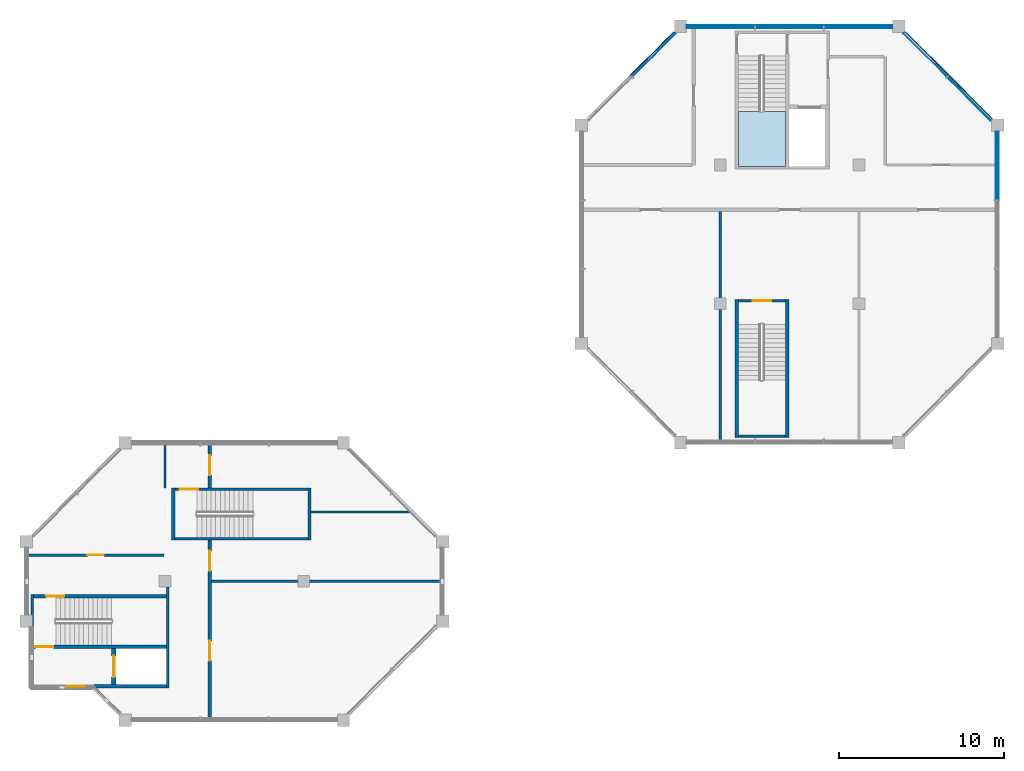
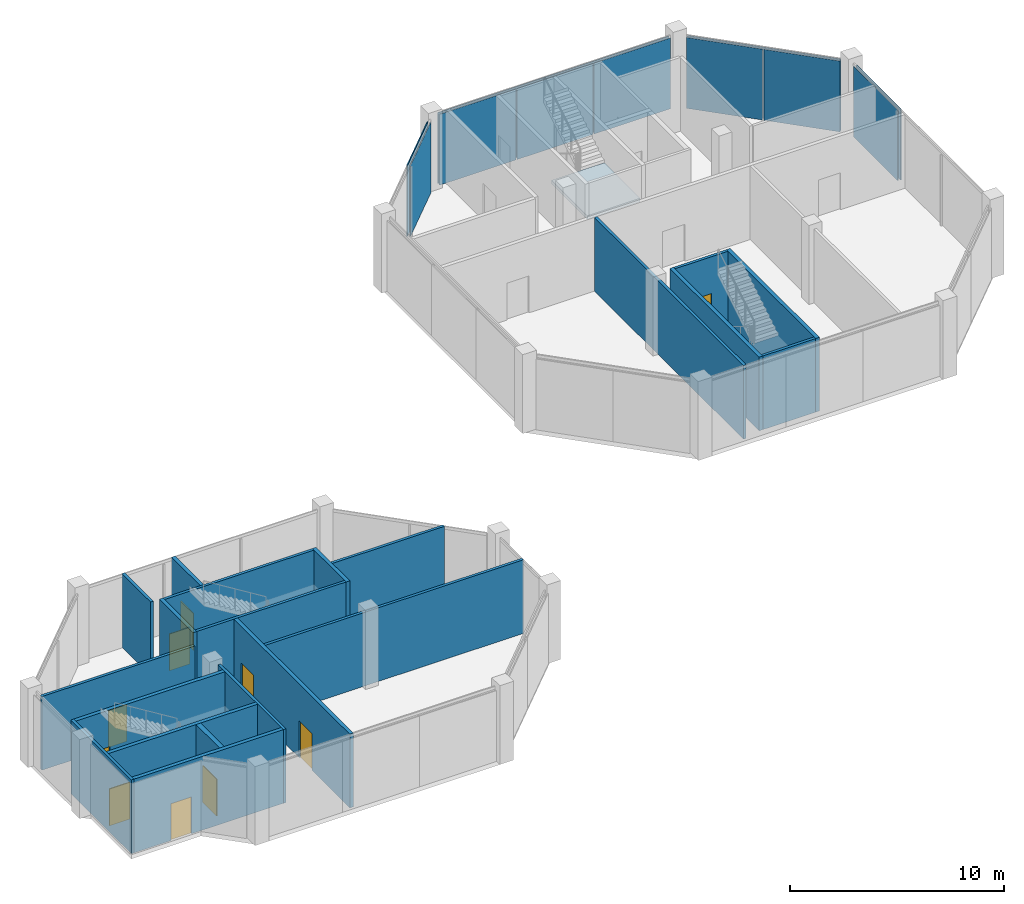
# One storey, part 5 of 9: 21 walls, 14 plates, 10 doors, 1 slab, 10 openings, 5 elements without a shape of their own.
"""IFC4 building model written with IfcOpenShell, lengths in metres."""

from ifc_helpers import new_model, si_unit, direction, frame, frame_2d, origin, origin_2d, place, context, subcontext, project, spatial, polyline, rectangle, outline, extrude, material, layer, layer_set, type_object, element, fill, aggregate, save


model = new_model("IFC4")

# Units and contexts
model_context = context("Model", 3, precision=1e-05, world=origin(), true_north=direction((0.0, 1.0)))
body_context = subcontext(model_context, "Body", "Model", "MODEL_VIEW")
ifc_project = project(units=[si_unit("LENGTHUNIT", "METRE"), si_unit("AREAUNIT", "SQUARE_METRE"), si_unit("VOLUMEUNIT", "CUBIC_METRE"), si_unit("PLANEANGLEUNIT", "RADIAN"), si_unit("MASSUNIT", "GRAM", prefix="KILO")], contexts=[model_context])

# Site, building, storey
site_placement = place(None, origin())
site = spatial("IfcSite", under=ifc_project, at=site_placement, CompositionType="ELEMENT")
building_placement = place(site_placement, origin())
building = spatial("IfcBuilding", under=site, at=building_placement, Name="Kawkab Arch Medical Tower", CompositionType="ELEMENT")
storey_placement = place(building_placement, frame((0.0, 0.0, 345.699951171875)))
storey = spatial("IfcBuildingStorey", under=building, at=storey_placement, Name="L80", CompositionType="ELEMENT", Elevation=345.699951171875)

# Curtain wall, plates
ifc_material_1 = material(Name="Bronze anodised aluminium curtain wall frame", Category="aluminium")
ifc_layer_1 = layer(ifc_material_1, 0.159912109375)
ifc_layer_set_1 = layer_set([ifc_layer_1], Name="Bronze anodised aluminium curtain wall frame")
curtain_wall_type = type_object("IfcCurtainWallType", Name="CW6 helipad lobby and crown glazing", PredefinedType="NOTDEFINED", material=ifc_layer_set_1)
placement = place(storey_placement, origin())
curtain_wall_1 = element("IfcCurtainWall", 1, at=placement, inside=storey, type_object=curtain_wall_type, Name="CW6 Helipad lobby and crown glazing R01", PredefinedType="NOTDEFINED")
ifc_material_2 = material(Name="Tinted laminated insulating glass, low iron", Category="glass")
ifc_layer_2 = layer(ifc_material_2, 0.0400390625)
ifc_layer_set_2 = layer_set([ifc_layer_2], Name="Tinted laminated insulating glass, low iron")
plate_type_1 = type_object("IfcPlateType", Name="CW6 glazing unit 40", PredefinedType="CURTAIN_PANEL", material=ifc_layer_set_2)
plate_1_placement = place(storey_placement, frame((57.05419921875, -4.3955078125, 0.0), z_axis=(0.0, 0.0, 1.0), x_axis=(-0.707106781187, 0.707106781187, 0.0)))
plate_1 = element("IfcPlate", 2, at=plate_1_placement, type_object=plate_type_1, Name="CW6 glazing unit 1.1", PredefinedType="CURTAIN_PANEL", context=body_context, shape_type="SweptSolid", body=[
    extrude(rectangle(XDim=3.67724609375, YDim=0.0400390625, at=origin_2d()), origin(), (0.0, 0.0, 1.0), 4.0400390625),
])
plate_2_placement = place(storey_placement, frame((54.404296875, -1.745849609375, 0.0), z_axis=(0.0, 0.0, 1.0), x_axis=(-0.707106781187, 0.707106781187, 0.0)))
plate_2 = element("IfcPlate", 3, at=plate_2_placement, type_object=plate_type_1, Name="CW6 glazing unit 1.2", PredefinedType="CURTAIN_PANEL", context=body_context, shape_type="SweptSolid", body=[
    extrude(rectangle(XDim=3.67724609375, YDim=0.0400390625, at=origin_2d()), origin(), (0.0, 0.0, 1.0), 4.0400390625),
])
aggregate(curtain_wall_1, [plate_1, plate_2])

curtain_wall_2 = element("IfcCurtainWall", 4, at=placement, inside=storey, type_object=curtain_wall_type, Name="CW6 Helipad lobby and crown glazing R02", PredefinedType="NOTDEFINED")
plate_3_placement = place(storey_placement, frame((50.367431640625, -0.10009765625, 0.0), z_axis=(0.0, 0.0, 1.0), x_axis=(-1.0, 0.0, 0.0)))
plate_3 = element("IfcPlate", 5, at=plate_3_placement, type_object=plate_type_1, Name="CW6 glazing unit 1.1", PredefinedType="CURTAIN_PANEL", context=body_context, shape_type="SweptSolid", body=[
    extrude(rectangle(XDim=4.114990234375, YDim=0.0400390625, at=origin_2d()), origin(), (0.0, 0.0, 1.0), 4.0400390625),
])
plate_4_placement = place(storey_placement, frame((46.199951171875, -0.10009765625, 0.0), z_axis=(0.0, 0.0, 1.0), x_axis=(-1.0, 0.0, 0.0)))
plate_4 = element("IfcPlate", 6, at=plate_4_placement, type_object=plate_type_1, Name="CW6 glazing unit 1.2", PredefinedType="CURTAIN_PANEL", context=body_context, shape_type="SweptSolid", body=[
    extrude(rectangle(XDim=4.080078125, YDim=0.0400390625, at=origin_2d()), origin(), (0.0, 0.0, 1.0), 4.0400390625),
])
plate_5_placement = place(storey_placement, frame((42.032470703125, -0.10009765625, 0.0), z_axis=(0.0, 0.0, 1.0), x_axis=(-1.0, 0.0, 0.0)))
plate_5 = element("IfcPlate", 7, at=plate_5_placement, type_object=plate_type_1, Name="CW6 glazing unit 1.3", PredefinedType="CURTAIN_PANEL", context=body_context, shape_type="SweptSolid", body=[
    extrude(rectangle(XDim=4.114990234375, YDim=0.0400390625, at=origin_2d()), origin(), (0.0, 0.0, 1.0), 4.0400390625),
])
aggregate(curtain_wall_2, [plate_3, plate_4, plate_5])

# Curtain wall, plate
curtain_wall_3 = element("IfcCurtainWall", 8, at=placement, inside=storey, type_object=curtain_wall_type, Name="CW6 Helipad lobby and crown glazing R03", PredefinedType="NOTDEFINED")
plate_6_placement = place(storey_placement, frame((37.99560546875, -1.745849609375, 0.0), z_axis=(0.0, 0.0, 1.0), x_axis=(-0.707106781187, -0.707106781187, 0.0)))
plate_6 = element("IfcPlate", 9, at=plate_6_placement, type_object=plate_type_1, Name="CW6 glazing unit 1.1", PredefinedType="CURTAIN_PANEL", context=body_context, shape_type="SweptSolid", body=[
    extrude(rectangle(XDim=3.67724609375, YDim=0.0400390625, at=origin_2d()), origin(), (0.0, 0.0, 1.0), 4.0400390625),
])
aggregate(curtain_wall_3, [plate_6])

curtain_wall_4 = element("IfcCurtainWall", 10, at=placement, inside=storey, type_object=curtain_wall_type, Name="CW6 Helipad lobby and crown glazing R08", PredefinedType="NOTDEFINED")
plate_7_placement = place(storey_placement, frame((58.699951171875, -8.4326171875, 0.0), z_axis=(0.0, 0.0, 1.0), x_axis=(0.0, 1.0, 0.0)))
plate_7 = element("IfcPlate", 11, at=plate_7_placement, type_object=plate_type_1, Name="CW6 glazing unit 1.3", PredefinedType="CURTAIN_PANEL", context=body_context, shape_type="SweptSolid", body=[
    extrude(rectangle(XDim=4.114990234375, YDim=0.0400390625, at=origin_2d()), origin(), (0.0, 0.0, 1.0), 4.0400390625),
])
aggregate(curtain_wall_4, [plate_7])

# Plates
ifc_material_3 = material(Name="Bronze anodised aluminium perforated screen", Category="aluminium")
ifc_layer_3 = layer(ifc_material_3, 0.050048828125)
ifc_layer_set_3 = layer_set([ifc_layer_3], Name="Bronze anodised aluminium perforated screen")
plate_type_2 = type_object("IfcPlateType", Name="Crown perforated star screen 50", PredefinedType="USERDEFINED", material=ifc_layer_set_3)
for number, where, z_axis, x_axis, name in (
    (12, (57.144287109375, -4.28076171875, 0.0), (0.0, 0.0, 1.0), (-0.707106781187, 0.707106781187, 0.0), "Crown screen L80 R01.1.1"),
    (13, (54.519287109375, -1.655517578125, 0.0), (0.0, 0.0, 1.0), (-0.707106781187, 0.707106781187, 0.0), "Crown screen L80 R01.1.2"),
):
    element("IfcPlate", number, at=place(storey_placement, frame(where, z_axis=z_axis, x_axis=x_axis)), inside=storey, type_object=plate_type_2, Name=name, ObjectType="SCREEN", PredefinedType="USERDEFINED", context=body_context, shape_type="SweptSolid", body=[
        extrude(rectangle(XDim=3.71240234375, YDim=0.050048828125, at=origin_2d()), origin(), (0.0, 0.0, 1.0), 4.0400390625),
    ])
for number, where, z_axis, x_axis, name in (
    (14, (50.35009765625, 0.044921875, 0.0), (0.0, 0.0, 1.0), (-1.0, 0.0, 0.0), "Crown screen L80 R02.1.1"),
    (15, (46.199951171875, 0.044921875, 0.0), (0.0, 0.0, 1.0), (-1.0, 0.0, 0.0), "Crown screen L80 R02.1.2"),
    (16, (42.050048828125, 0.044921875, 0.0), (0.0, 0.0, 1.0), (-1.0, 0.0, 0.0), "Crown screen L80 R02.1.3"),
):
    element("IfcPlate", number, at=place(storey_placement, frame(where, z_axis=z_axis, x_axis=x_axis)), inside=storey, type_object=plate_type_2, Name=name, ObjectType="SCREEN", PredefinedType="USERDEFINED", context=body_context, shape_type="SweptSolid", body=[
        extrude(rectangle(XDim=4.14990234375, YDim=0.050048828125, at=origin_2d()), origin(), (0.0, 0.0, 1.0), 4.0400390625),
    ])
plate_8_placement = place(storey_placement, frame((37.880615234375, -1.65576171875, 0.0), z_axis=(0.0, 0.0, 1.0), x_axis=(-0.707106781187, -0.707106781187, 0.0)))
element("IfcPlate", 17, at=plate_8_placement, inside=storey, type_object=plate_type_2, Name="Crown screen L80 R03.1.1", ObjectType="SCREEN", PredefinedType="USERDEFINED", context=body_context, shape_type="SweptSolid", body=[
    extrude(rectangle(XDim=3.71240234375, YDim=0.050048828125, at=origin_2d()), origin(), (0.0, 0.0, 1.0), 4.0400390625),
])
plate_9_placement = place(storey_placement, frame((58.844970703125, -8.449951171875, 0.0), z_axis=(0.0, 0.0, 1.0), x_axis=(0.0, 1.0, 0.0)))
element("IfcPlate", 18, at=plate_9_placement, inside=storey, type_object=plate_type_2, Name="Crown screen L80 R08.1.3", ObjectType="SCREEN", PredefinedType="USERDEFINED", context=body_context, shape_type="SweptSolid", body=[
    extrude(rectangle(XDim=4.14990234375, YDim=0.050048828125, at=origin_2d()), origin(), (0.0, 0.0, 1.0), 4.0400390625),
])

# Stair, slab
ifc_material_4 = material(Name="Concrete C40/50", Category="concrete")
stair_type = type_object("IfcStairType", Name="Exit stair 1350", PredefinedType="HALF_TURN_STAIR", material=ifc_material_4)
stair = element("IfcStair", 19, at=placement, inside=storey, type_object=stair_type, Name="L80 Exit stair ST5", PredefinedType="HALF_TURN_STAIR")
ifc_material_5 = material(Name="Concrete C40/50", Category="concrete")
ifc_layer_4 = layer(ifc_material_5, 0.199951171875)
ifc_layer_set_4 = layer_set([ifc_layer_4], Name="Concrete C40/50")
slab_type = type_object("IfcSlabType", Name="Exit stair landing 200", PredefinedType="LANDING", material=ifc_layer_set_4)
slab_placement = place(storey_placement, frame((0.0, 0.0, 2.050048828125)))
slab = element("IfcSlab", 20, at=slab_placement, type_object=slab_type, Name="ST5 landing 1", PredefinedType="LANDING", context=body_context, shape_type="SweptSolid", body=[
    extrude(outline(polyline([(43.10009765625, -5.159912109375), (43.10009765625, -8.5), (45.949951171875, -8.5), (45.949951171875, -5.159912109375), (43.10009765625, -5.159912109375)])), origin(), (0.0, 0.0, 1.0), 0.199951171875),
])
aggregate(stair, [slab])

# Wall, opening, door
ifc_material_6 = material(Name="Concrete C60/75", Category="concrete")
ifc_layer_5 = layer(ifc_material_6, 0.25)
ifc_layer_set_5 = layer_set([ifc_layer_5], Name="Concrete C60/75")
wall_type_1 = type_object("IfcWallType", Name="Core shear wall 250 C60/75", PredefinedType="SHEAR", material=ifc_layer_set_5)
wall_1_placement = place(storey_placement, frame((5.300048828125, -39.85009765625, 0.0), z_axis=(0.0, 0.0, 1.0), x_axis=(0.0, 1.0, 0.0)))
wall_1 = element("IfcWall", 21, at=wall_1_placement, inside=storey, type_object=wall_type_1, Name="L80 core shear wall", PredefinedType="SHEAR", context=body_context, shape_type="SweptSolid", body=[
    extrude(rectangle(XDim=2.2001953125, YDim=0.25, at=frame_2d((1.10009765625, 0.0))), origin(), (0.0, 0.0, 1.0), 4.199951171875),
])
opening_1_placement = place(wall_1_placement, frame((0.449951171875, 0.0, 0.0)))
opening_1 = element("IfcOpeningElement", 22, at=opening_1_placement, cuts=wall_1, Name="Opening LD2", PredefinedType="OPENING", context=body_context, shape_type="SweptSolid", body=[
    extrude(rectangle(XDim=1.300048828125, YDim=2.10009765625, at=frame_2d((0.64990234375, 1.050048828125))), frame((0.0, 0.135009765625, 0.0), z_axis=(0.0, -1.0, 0.0), x_axis=(1.0, 0.0, 0.0)), (0.0, 0.0, 1.0), 0.27001953125),
])
ifc_material_7 = material(Name="Stainless steel lift door leaf", Category="steel")
door_type_1 = type_object("IfcDoorType", Name="Lift landing door 1300", OperationType="DOUBLE_DOOR_SLIDING", PredefinedType="DOOR", material=ifc_material_7)
door_1_placement = place(opening_1_placement, origin())
door_1 = element("IfcDoor", 23, at=door_1_placement, inside=storey, type_object=door_type_1, Name="L80 Lift landing door SV2", OperationType="DOUBLE_DOOR_SLIDING", OverallHeight=2.10009765625, OverallWidth=1.300048828125, PredefinedType="DOOR", context=body_context, shape_type="SweptSolid", body=[
    extrude(rectangle(XDim=1.300048828125, YDim=2.10009765625, at=frame_2d((0.64990234375, 1.050048828125))), frame((0.0, 0.02490234375, 0.0), z_axis=(0.0, -1.0, 0.0), x_axis=(1.0, 0.0, 0.0)), (0.0, 0.0, 1.0), 0.050048828125),
])
fill(opening_1, door_1)

# Wall
ifc_material_8 = material(Name="Gypsum board partition on steel studs, mineral wool", Category="steel")
ifc_layer_6 = layer(ifc_material_8, 0.14990234375)
ifc_layer_set_6 = layer_set([ifc_layer_6], Name="Gypsum board partition on steel studs, mineral wool")
wall_type_2 = type_object("IfcWallType", Name="Partition 150", PredefinedType="PARTITIONING", material=ifc_layer_set_6)
wall_2_placement = place(storey_placement, frame((11.199951171875, -33.60009765625, 0.0), z_axis=(0.0, 0.0, 1.0), x_axis=(1.0, 0.0, 0.0)))
element("IfcWall", 24, at=wall_2_placement, inside=storey, type_object=wall_type_2, Name="Partition 150 w001", PredefinedType="PARTITIONING", context=body_context, shape_type="SweptSolid", body=[
    extrude(rectangle(XDim=13.920166015625, YDim=0.14990234375, at=frame_2d((6.9599609375, 0.0))), origin(), (0.0, 0.0, 1.0), 4.199951171875),
])

# Wall, opening, door
wall_3_placement = place(storey_placement, frame((0.080078125, -32.007080078125, 0.0), z_axis=(0.0, 0.0, 1.0), x_axis=(1.0, 0.0, 0.0)))
wall_3 = element("IfcWall", 25, at=wall_3_placement, inside=storey, type_object=wall_type_2, Name="Partition 150 w002", PredefinedType="PARTITIONING", context=body_context, shape_type="SweptSolid", body=[
    extrude(rectangle(XDim=8.244873046875, YDim=0.14990234375, at=frame_2d((4.12255859375, 0.0))), origin(), (0.0, 0.0, 1.0), 4.199951171875),
])
opening_2_placement = place(wall_3_placement, frame((3.6201171875, 0.0, 0.0)))
opening_2 = element("IfcOpeningElement", 26, at=opening_2_placement, cuts=wall_3, Name="Opening C80-002", PredefinedType="OPENING", context=body_context, shape_type="SweptSolid", body=[
    extrude(rectangle(XDim=1.0, YDim=2.10009765625, at=frame_2d((0.5, 1.050048828125))), frame((0.0, 0.0849609375, 0.0), z_axis=(0.0, -1.0, 0.0), x_axis=(1.0, 0.0, 0.0)), (0.0, 0.0, 1.0), 0.169921875),
])
ifc_material_9 = material(Name="Hollow metal door leaf")
door_type_2 = type_object("IfcDoorType", Name="Single door 1000x2100 FD30S", OperationType="NOTDEFINED", PredefinedType="DOOR", material=ifc_material_9)
door_2_placement = place(opening_2_placement, origin())
door_2 = element("IfcDoor", 27, at=door_2_placement, inside=storey, type_object=door_type_2, Name="Door C80-002", OperationType="SINGLE_SWING_RIGHT", OverallHeight=2.10009765625, OverallWidth=1.0, PredefinedType="DOOR", context=body_context, shape_type="SweptSolid", body=[
    extrude(rectangle(XDim=1.0, YDim=2.10009765625, at=frame_2d((0.5, 1.050048828125))), frame((0.0, 0.02490234375, 0.0), z_axis=(0.0, -1.0, 0.0), x_axis=(1.0, 0.0, 0.0)), (0.0, 0.0, 1.0), 0.050048828125),
])
fill(opening_2, door_2)

# Walls
wall_4_placement = place(storey_placement, frame((17.25, -29.39990234375, 0.0), z_axis=(0.0, 0.0, 1.0), x_axis=(1.0, 0.0, 0.0)))
element("IfcWall", 28, at=wall_4_placement, inside=storey, type_object=wall_type_2, Name="Partition 150 w003", PredefinedType="PARTITIONING", context=body_context, shape_type="SweptSolid", body=[
    extrude(rectangle(XDim=6.037109375, YDim=0.14990234375, at=frame_2d((3.0185546875, 0.0))), origin(), (0.0, 0.0, 1.0), 4.199951171875),
])
wall_5_placement = place(storey_placement, frame((8.39990234375, -27.949951171875, 0.0), z_axis=(0.0, 0.0, 1.0), x_axis=(0.0, 1.0, 0.0)))
element("IfcWall", 29, at=wall_5_placement, inside=storey, type_object=wall_type_2, Name="Partition 150 w006", PredefinedType="PARTITIONING", context=body_context, shape_type="SweptSolid", body=[
    extrude(rectangle(XDim=2.669921875, YDim=0.14990234375, at=frame_2d((1.3349609375, 0.0))), origin(), (0.0, 0.0, 1.0), 4.199951171875),
])
wall_6_placement = place(storey_placement, frame((42.0, -25.1201171875, 0.0), z_axis=(0.0, 0.0, 1.0), x_axis=(0.0, 1.0, 0.0)))
element("IfcWall", 30, at=wall_6_placement, inside=storey, type_object=wall_type_2, Name="Partition 150 w007", PredefinedType="PARTITIONING", context=body_context, shape_type="SweptSolid", body=[
    extrude(rectangle(XDim=13.920166015625, YDim=0.14990234375, at=frame_2d((6.9599609375, 0.0))), origin(), (0.0, 0.0, 1.0), 4.199951171875),
])

# Wall, openings, doors
ifc_material_10 = material(Name="Fire-rated gypsum board partition on steel studs", Category="steel")
ifc_layer_7 = layer(ifc_material_10, 0.199951171875)
ifc_layer_set_7 = layer_set([ifc_layer_7], Name="Fire-rated gypsum board partition on steel studs")
wall_type_3 = type_object("IfcWallType", Name="Protected partition 200", PredefinedType="PARTITIONING", material=ifc_layer_set_7)
wall_7_placement = place(storey_placement, frame((11.10009765625, -41.919921875, 0.0), z_axis=(0.0, 0.0, 1.0), x_axis=(0.0, 1.0, 0.0)))
wall_7 = element("IfcWall", 31, at=wall_7_placement, inside=storey, type_object=wall_type_3, Name="Protected partition 200 w012", PredefinedType="PARTITIONING", context=body_context, shape_type="SweptSolid", body=[
    extrude(rectangle(XDim=10.81982421875, YDim=0.199951171875, at=frame_2d((5.409912109375, 0.0))), origin(), (0.0, 0.0, 1.0), 4.199951171875),
])
opening_3_placement = place(wall_7_placement, frame((8.969970703125, 0.0, 0.0)))
opening_3 = element("IfcOpeningElement", 32, at=opening_3_placement, cuts=wall_7, Name="Opening C80-008", PredefinedType="OPENING", context=body_context, shape_type="SweptSolid", body=[
    extrude(rectangle(XDim=1.199951171875, YDim=2.10009765625, at=frame_2d((0.60009765625, 1.050048828125))), frame((0.0, 0.10986328125, 0.0), z_axis=(0.0, -1.0, 0.0), x_axis=(1.0, 0.0, 0.0)), (0.0, 0.0, 1.0), 0.219970703125),
])
opening_4_placement = place(wall_7_placement, frame((3.52001953125, 0.0, 0.0)))
opening_4 = element("IfcOpeningElement", 33, at=opening_4_placement, cuts=wall_7, Name="Opening C80-009", PredefinedType="OPENING", context=body_context, shape_type="SweptSolid", body=[
    extrude(rectangle(XDim=1.199951171875, YDim=2.10009765625, at=frame_2d((0.60009765625, 1.050048828125))), frame((0.0, 0.10986328125, 0.0), z_axis=(0.0, -1.0, 0.0), x_axis=(1.0, 0.0, 0.0)), (0.0, 0.0, 1.0), 0.219970703125),
])
ifc_material_11 = material(Name="Hollow metal door leaf")
door_type_3 = type_object("IfcDoorType", Name="Single door 1200x2100 FD60", OperationType="NOTDEFINED", PredefinedType="DOOR", material=ifc_material_11)
door_3_placement = place(opening_3_placement, origin())
door_3 = element("IfcDoor", 34, at=door_3_placement, inside=storey, type_object=door_type_3, Name="Door C80-008", OperationType="SINGLE_SWING_LEFT", OverallHeight=2.10009765625, OverallWidth=1.199951171875, PredefinedType="DOOR", context=body_context, shape_type="SweptSolid", body=[
    extrude(rectangle(XDim=1.199951171875, YDim=2.10009765625, at=frame_2d((0.60009765625, 1.050048828125))), frame((0.0, 0.02490234375, 0.0), z_axis=(0.0, -1.0, 0.0), x_axis=(1.0, 0.0, 0.0)), (0.0, 0.0, 1.0), 0.050048828125),
])
fill(opening_3, door_3)
door_4_placement = place(opening_4_placement, origin())
door_4 = element("IfcDoor", 35, at=door_4_placement, inside=storey, type_object=door_type_3, Name="Door C80-009", OperationType="SINGLE_SWING_RIGHT", OverallHeight=2.10009765625, OverallWidth=1.199951171875, PredefinedType="DOOR", context=body_context, shape_type="SweptSolid", body=[
    extrude(rectangle(XDim=1.199951171875, YDim=2.10009765625, at=frame_2d((0.60009765625, 1.050048828125))), frame((0.0, 0.02490234375, 0.0), z_axis=(0.0, -1.0, 0.0), x_axis=(1.0, 0.0, 0.0)), (0.0, 0.0, 1.0), 0.050048828125),
])
fill(opening_4, door_4)

# Wall, opening, door
wall_8_placement = place(storey_placement, frame((11.10009765625, -27.949951171875, 0.0), z_axis=(0.0, 0.0, 1.0), x_axis=(0.0, 1.0, 0.0)))
wall_8 = element("IfcWall", 36, at=wall_8_placement, inside=storey, type_object=wall_type_3, Name="Protected partition 200 w013", PredefinedType="PARTITIONING", context=body_context, shape_type="SweptSolid", body=[
    extrude(rectangle(XDim=2.669921875, YDim=0.199951171875, at=frame_2d((1.3349609375, 0.0))), origin(), (0.0, 0.0, 1.0), 4.199951171875),
])
opening_5_placement = place(wall_8_placement, frame((0.77490234375, 0.0, 0.0)))
opening_5 = element("IfcOpeningElement", 37, at=opening_5_placement, cuts=wall_8, Name="Opening C80-007", PredefinedType="OPENING", context=body_context, shape_type="SweptSolid", body=[
    extrude(rectangle(XDim=1.199951171875, YDim=2.10009765625, at=frame_2d((0.60009765625, 1.050048828125))), frame((0.0, 0.10986328125, 0.0), z_axis=(0.0, -1.0, 0.0), x_axis=(1.0, 0.0, 0.0)), (0.0, 0.0, 1.0), 0.219970703125),
])
door_5_placement = place(opening_5_placement, origin())
door_5 = element("IfcDoor", 38, at=door_5_placement, inside=storey, type_object=door_type_3, Name="Door C80-007", OperationType="SINGLE_SWING_RIGHT", OverallHeight=2.10009765625, OverallWidth=1.199951171875, PredefinedType="DOOR", context=body_context, shape_type="SweptSolid", body=[
    extrude(rectangle(XDim=1.199951171875, YDim=2.10009765625, at=frame_2d((0.60009765625, 1.050048828125))), frame((0.0, 0.02490234375, 0.0), z_axis=(0.0, -1.0, 0.0), x_axis=(1.0, 0.0, 0.0)), (0.0, 0.0, 1.0), 0.050048828125),
])
fill(opening_5, door_5)

# Walls
ifc_material_12 = material(Name="Concrete C50/60", Category="concrete")
ifc_layer_8 = layer(ifc_material_12, 0.14990234375)
ifc_layer_set_8 = layer_set([ifc_layer_8], Name="Concrete C50/60")
wall_type_4 = type_object("IfcWallType", Name="Stair enclosure wall 150 C50/60", PredefinedType="SHEAR", material=ifc_layer_set_8)
wall_9_placement = place(storey_placement, frame((0.375, -40.050048828125, 0.0), z_axis=(0.0, 0.0, 1.0), x_axis=(0.0, 1.0, 0.0)))
element("IfcWall", 39, at=wall_9_placement, inside=storey, type_object=wall_type_4, Name="L80 stair enclosure wall", PredefinedType="SHEAR", context=body_context, shape_type="SweptSolid", body=[
    extrude(rectangle(XDim=5.650146484375, YDim=0.14990234375, at=frame_2d((2.8251953125, 0.0))), origin(), (0.0, 0.0, 1.0), 4.199951171875),
])
wall_10_placement = place(storey_placement, frame((8.574951171875, -40.050048828125, 0.0), z_axis=(0.0, 0.0, 1.0), x_axis=(0.0, 1.0, 0.0)))
element("IfcWall", 40, at=wall_10_placement, inside=storey, type_object=wall_type_4, Name="L80 stair enclosure wall", PredefinedType="SHEAR", context=body_context, shape_type="SweptSolid", body=[
    extrude(rectangle(XDim=6.10009765625, YDim=0.14990234375, at=frame_2d((3.050048828125, 0.0))), origin(), (0.0, 0.0, 1.0), 4.199951171875),
])

# Wall, opening, door
wall_11_placement = place(storey_placement, frame((43.10009765625, -16.625, 0.0), z_axis=(0.0, 0.0, 1.0), x_axis=(1.0, 0.0, 0.0)))
wall_11 = element("IfcWall", 41, at=wall_11_placement, inside=storey, type_object=wall_type_4, Name="L80 stair enclosure wall", PredefinedType="SHEAR", context=body_context, shape_type="SweptSolid", body=[
    extrude(rectangle(XDim=2.849853515625, YDim=0.14990234375, at=frame_2d((1.4248046875, 0.0))), origin(), (0.0, 0.0, 1.0), 4.199951171875),
])
opening_6_placement = place(wall_11_placement, frame((0.875, 0.0, 0.0)))
opening_6 = element("IfcOpeningElement", 42, at=opening_6_placement, cuts=wall_11, Name="Opening SD", PredefinedType="OPENING", context=body_context, shape_type="SweptSolid", body=[
    extrude(rectangle(XDim=1.10009765625, YDim=2.10009765625, at=frame_2d((0.550048828125, 1.050048828125))), frame((0.0, 0.0849609375, 0.0), z_axis=(0.0, -1.0, 0.0), x_axis=(1.0, 0.0, 0.0)), (0.0, 0.0, 1.0), 0.169921875),
])
ifc_material_13 = material(Name="Hollow metal fire door leaf")
door_type_4 = type_object("IfcDoorType", Name="Exit stair door 1100", OperationType="SINGLE_SWING_LEFT", PredefinedType="DOOR", material=ifc_material_13)
door_6_placement = place(opening_6_placement, origin())
door_6 = element("IfcDoor", 43, at=door_6_placement, inside=storey, type_object=door_type_4, Name="L80 Exit stair ST8 door", OperationType="SINGLE_SWING_LEFT", OverallHeight=2.10009765625, OverallWidth=1.10009765625, PredefinedType="DOOR", context=body_context, shape_type="SweptSolid", body=[
    extrude(rectangle(XDim=1.10009765625, YDim=2.10009765625, at=frame_2d((0.550048828125, 1.050048828125))), frame((0.0, 0.02490234375, 0.0), z_axis=(0.0, -1.0, 0.0), x_axis=(1.0, 0.0, 0.0)), (0.0, 0.0, 1.0), 0.050048828125),
])
fill(opening_6, door_6)

# Wall
wall_12_placement = place(storey_placement, frame((43.10009765625, -24.824951171875, 0.0), z_axis=(0.0, 0.0, 1.0), x_axis=(1.0, 0.0, 0.0)))
element("IfcWall", 44, at=wall_12_placement, inside=storey, type_object=wall_type_4, Name="L80 stair enclosure wall", PredefinedType="SHEAR", context=body_context, shape_type="SweptSolid", body=[
    extrude(rectangle(XDim=2.849853515625, YDim=0.14990234375, at=frame_2d((1.4248046875, 0.0))), origin(), (0.0, 0.0, 1.0), 4.199951171875),
])

# Wall, opening, door
wall_13_placement = place(storey_placement, frame((9.0, -28.02490234375, 0.0), z_axis=(0.0, 0.0, 1.0), x_axis=(1.0, 0.0, 0.0)))
wall_13 = element("IfcWall", 45, at=wall_13_placement, inside=storey, type_object=wall_type_4, Name="L80 stair enclosure wall", PredefinedType="SHEAR", context=body_context, shape_type="SweptSolid", body=[
    extrude(rectangle(XDim=8.050048828125, YDim=0.14990234375, at=frame_2d((4.02490234375, 0.0))), origin(), (0.0, 0.0, 1.0), 4.199951171875),
])
opening_7_placement = place(wall_13_placement, frame((0.300048828125, 0.0, 0.0)))
opening_7 = element("IfcOpeningElement", 46, at=opening_7_placement, cuts=wall_13, Name="Opening SD", PredefinedType="OPENING", context=body_context, shape_type="SweptSolid", body=[
    extrude(rectangle(XDim=1.10009765625, YDim=2.10009765625, at=frame_2d((0.550048828125, 1.050048828125))), frame((0.0, 0.0849609375, 0.0), z_axis=(0.0, -1.0, 0.0), x_axis=(1.0, 0.0, 0.0)), (0.0, 0.0, 1.0), 0.169921875),
])
door_7_placement = place(opening_7_placement, origin())
door_7 = element("IfcDoor", 47, at=door_7_placement, inside=storey, type_object=door_type_4, Name="L80 Exit stair ST9 door", OperationType="SINGLE_SWING_LEFT", OverallHeight=2.10009765625, OverallWidth=1.10009765625, PredefinedType="DOOR", context=body_context, shape_type="SweptSolid", body=[
    extrude(rectangle(XDim=1.10009765625, YDim=2.10009765625, at=frame_2d((0.550048828125, 1.050048828125))), frame((0.0, 0.02490234375, 0.0), z_axis=(0.0, -1.0, 0.0), x_axis=(1.0, 0.0, 0.0)), (0.0, 0.0, 1.0), 0.050048828125),
])
fill(opening_7, door_7)

# Wall
wall_14_placement = place(storey_placement, frame((9.0, -31.02490234375, 0.0), z_axis=(0.0, 0.0, 1.0), x_axis=(1.0, 0.0, 0.0)))
element("IfcWall", 48, at=wall_14_placement, inside=storey, type_object=wall_type_4, Name="L80 stair enclosure wall", PredefinedType="SHEAR", context=body_context, shape_type="SweptSolid", body=[
    extrude(rectangle(XDim=8.050048828125, YDim=0.14990234375, at=frame_2d((4.02490234375, 0.0))), origin(), (0.0, 0.0, 1.0), 4.199951171875),
])

# Wall, opening, door
ifc_material_14 = material(Name="Concrete C50/60", Category="concrete")
ifc_layer_9 = layer(ifc_material_14, 0.199951171875)
ifc_layer_set_9 = layer_set([ifc_layer_9], Name="Concrete C50/60")
wall_type_5 = type_object("IfcWallType", Name="Stair enclosure wall 200 C50/60", PredefinedType="SHEAR", material=ifc_layer_set_9)
wall_15_placement = place(storey_placement, frame((0.449951171875, -34.5, 0.0), z_axis=(0.0, 0.0, 1.0), x_axis=(1.0, 0.0, 0.0)))
wall_15 = element("IfcWall", 49, at=wall_15_placement, inside=storey, type_object=wall_type_5, Name="L80 stair enclosure wall", PredefinedType="SHEAR", context=body_context, shape_type="SweptSolid", body=[
    extrude(rectangle(XDim=8.050048828125, YDim=0.199951171875, at=frame_2d((4.02490234375, 0.0))), origin(), (0.0, 0.0, 1.0), 4.199951171875),
])
opening_8_placement = place(wall_15_placement, frame((0.75, 0.0, 0.0)))
opening_8 = element("IfcOpeningElement", 50, at=opening_8_placement, cuts=wall_15, Name="Opening SD", PredefinedType="OPENING", context=body_context, shape_type="SweptSolid", body=[
    extrude(rectangle(XDim=1.10009765625, YDim=2.10009765625, at=frame_2d((0.550048828125, 1.050048828125))), frame((0.0, 0.10986328125, 0.0), z_axis=(0.0, -1.0, 0.0), x_axis=(1.0, 0.0, 0.0)), (0.0, 0.0, 1.0), 0.219970703125),
])
door_8_placement = place(opening_8_placement, origin())
door_8 = element("IfcDoor", 51, at=door_8_placement, inside=storey, type_object=door_type_4, Name="L80 Exit stair ST6 door", OperationType="SINGLE_SWING_LEFT", OverallHeight=2.10009765625, OverallWidth=1.10009765625, PredefinedType="DOOR", context=body_context, shape_type="SweptSolid", body=[
    extrude(rectangle(XDim=1.10009765625, YDim=2.10009765625, at=frame_2d((0.550048828125, 1.050048828125))), frame((0.0, 0.02490234375, 0.0), z_axis=(0.0, -1.0, 0.0), x_axis=(1.0, 0.0, 0.0)), (0.0, 0.0, 1.0), 0.050048828125),
])
fill(opening_8, door_8)

wall_16_placement = place(storey_placement, frame((0.449951171875, -37.550048828125, 0.0), z_axis=(0.0, 0.0, 1.0), x_axis=(1.0, 0.0, 0.0)))
wall_16 = element("IfcWall", 52, at=wall_16_placement, inside=storey, type_object=wall_type_5, Name="L80 stair enclosure wall", PredefinedType="SHEAR", context=body_context, shape_type="SweptSolid", body=[
    extrude(rectangle(XDim=8.050048828125, YDim=0.199951171875, at=frame_2d((4.02490234375, 0.0))), origin(), (0.0, 0.0, 1.0), 4.199951171875),
])
opening_9_placement = place(wall_16_placement, frame((0.10009765625, 0.0, 0.0)))
opening_9 = element("IfcOpeningElement", 53, at=opening_9_placement, cuts=wall_16, Name="Opening SD", PredefinedType="OPENING", context=body_context, shape_type="SweptSolid", body=[
    extrude(rectangle(XDim=1.10009765625, YDim=2.10009765625, at=frame_2d((0.550048828125, 1.050048828125))), frame((0.0, 0.10986328125, 0.0), z_axis=(0.0, -1.0, 0.0), x_axis=(1.0, 0.0, 0.0)), (0.0, 0.0, 1.0), 0.219970703125),
])
door_9_placement = place(opening_9_placement, frame((1.10009765625, 0.0, 0.0), z_axis=(0.0, 0.0, 1.0), x_axis=(-1.0, 0.0, 0.0)))
door_9 = element("IfcDoor", 54, at=door_9_placement, inside=storey, type_object=door_type_4, Name="L80 Exit stair ST6 lobby door", OperationType="SINGLE_SWING_LEFT", OverallHeight=2.10009765625, OverallWidth=1.10009765625, PredefinedType="DOOR", context=body_context, shape_type="SweptSolid", body=[
    extrude(rectangle(XDim=1.10009765625, YDim=2.10009765625, at=frame_2d((0.550048828125, 1.050048828125))), frame((0.0, 0.02490234375, 0.0), z_axis=(0.0, -1.0, 0.0), x_axis=(1.0, 0.0, 0.0)), (0.0, 0.0, 1.0), 0.050048828125),
])
fill(opening_9, door_9)

wall_17_placement = place(storey_placement, frame((0.449951171875, -39.949951171875, 0.0), z_axis=(0.0, 0.0, 1.0), x_axis=(1.0, 0.0, 0.0)))
wall_17 = element("IfcWall", 55, at=wall_17_placement, inside=storey, type_object=wall_type_5, Name="L80 stair enclosure wall", PredefinedType="SHEAR", context=body_context, shape_type="SweptSolid", body=[
    extrude(rectangle(XDim=8.050048828125, YDim=0.199951171875, at=frame_2d((4.02490234375, 0.0))), origin(), (0.0, 0.0, 1.0), 4.199951171875),
])
opening_10_placement = place(wall_17_placement, frame((2.0, 0.0, 0.0)))
opening_10 = element("IfcOpeningElement", 56, at=opening_10_placement, cuts=wall_17, Name="Opening FD", PredefinedType="OPENING", context=body_context, shape_type="SweptSolid", body=[
    extrude(rectangle(XDim=1.10009765625, YDim=2.10009765625, at=frame_2d((0.550048828125, 1.050048828125))), frame((0.0, 0.10986328125, 0.0), z_axis=(0.0, -1.0, 0.0), x_axis=(1.0, 0.0, 0.0)), (0.0, 0.0, 1.0), 0.219970703125),
])
ifc_material_15 = material(Name="Hollow metal fire door leaf")
door_type_5 = type_object("IfcDoorType", Name="Firefighting lobby door 1100", OperationType="SINGLE_SWING_LEFT", PredefinedType="DOOR", material=ifc_material_15)
door_10_placement = place(opening_10_placement, origin())
door_10 = element("IfcDoor", 57, at=door_10_placement, inside=storey, type_object=door_type_5, Name="L80 Service lift lobby door SV2", OperationType="SINGLE_SWING_LEFT", OverallHeight=2.10009765625, OverallWidth=1.10009765625, PredefinedType="DOOR", context=body_context, shape_type="SweptSolid", body=[
    extrude(rectangle(XDim=1.10009765625, YDim=2.10009765625, at=frame_2d((0.550048828125, 1.050048828125))), frame((0.0, 0.02490234375, 0.0), z_axis=(0.0, -1.0, 0.0), x_axis=(1.0, 0.0, 0.0)), (0.0, 0.0, 1.0), 0.050048828125),
])
fill(opening_10, door_10)

# Walls
for number, where, z_axis, x_axis, name in (
    (58, (43.0, -24.89990234375, 0.0), (0.0, 0.0, 1.0), (0.0, 1.0, 0.0), "L80 stair enclosure wall"),
    (59, (46.050048828125, -24.89990234375, 0.0), (0.0, 0.0, 1.0), (0.0, 1.0, 0.0), "L80 stair enclosure wall"),
):
    element("IfcWall", number, at=place(storey_placement, frame(where, z_axis=z_axis, x_axis=x_axis)), inside=storey, type_object=wall_type_5, Name=name, PredefinedType="SHEAR", context=body_context, shape_type="SweptSolid", body=[
        extrude(rectangle(XDim=8.349853515625, YDim=0.199951171875, at=frame_2d((4.1748046875, 0.0))), origin(), (0.0, 0.0, 1.0), 4.199951171875),
    ])
for number, where, z_axis, x_axis, name in (
    (60, (8.89990234375, -31.10009765625, 0.0), (0.0, 0.0, 1.0), (0.0, 1.0, 0.0), "L80 stair enclosure wall"),
    (61, (17.14990234375, -31.10009765625, 0.0), (0.0, 0.0, 1.0), (0.0, 1.0, 0.0), "L80 stair enclosure wall"),
):
    element("IfcWall", number, at=place(storey_placement, frame(where, z_axis=z_axis, x_axis=x_axis)), inside=storey, type_object=wall_type_5, Name=name, PredefinedType="SHEAR", context=body_context, shape_type="SweptSolid", body=[
        extrude(rectangle(XDim=3.150146484375, YDim=0.199951171875, at=frame_2d((1.5751953125, 0.0))), origin(), (0.0, 0.0, 1.0), 4.199951171875),
    ])

save(model, "model.ifc")
